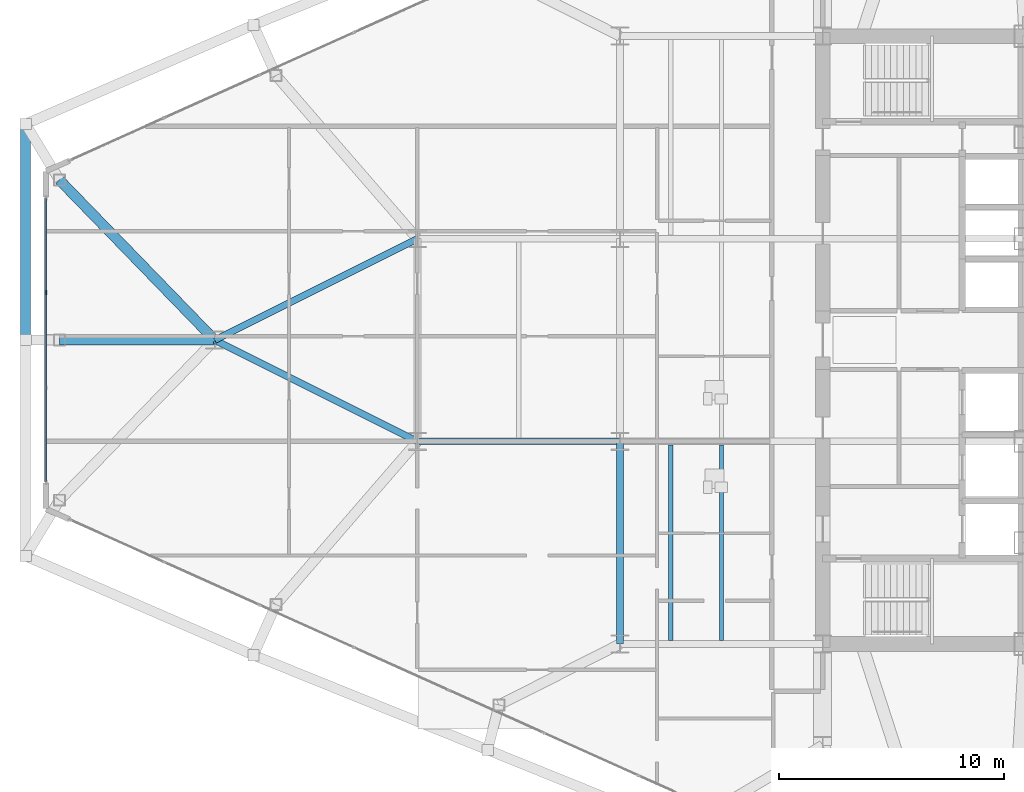
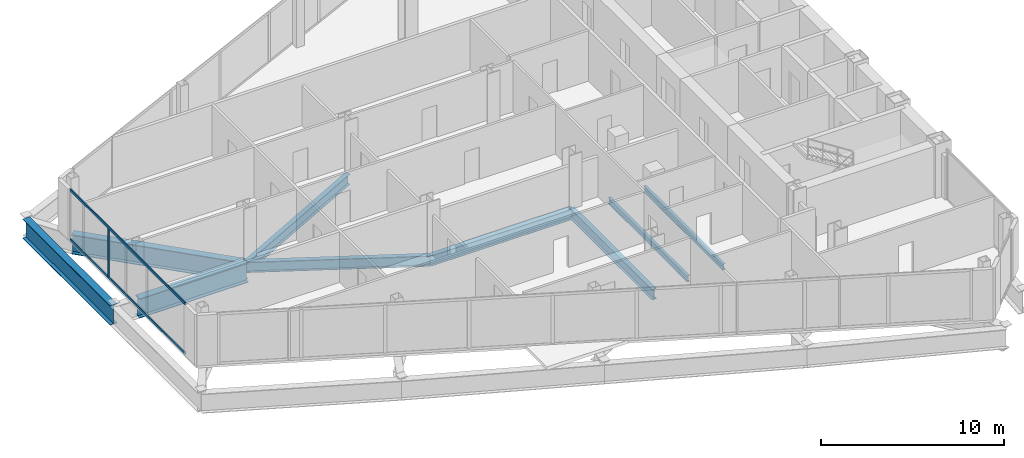
# One storey, part 6 of 29: 9 beams, 3 members, 1 element without a shape of its own.
"""IFC4 building model written with IfcOpenShell, lengths in metres."""

from ifc_helpers import new_model, si_unit, direction, frame, origin, origin_2d, place, context, subcontext, project, spatial, rectangle, i_section, extrude, source, transform, mapped, material, layer, layer_set, material_profile, profile_set, type_object, type_shapes, element, aggregate, save


model = new_model("IFC4")

# Units and contexts
model_context = context("Model", 3, precision=1e-05, world=origin(), true_north=direction((0.0, 1.0)))
body_context = subcontext(model_context, "Body", "Model", "MODEL_VIEW")
ifc_project = project(units=[si_unit("LENGTHUNIT", "METRE"), si_unit("AREAUNIT", "SQUARE_METRE"), si_unit("VOLUMEUNIT", "CUBIC_METRE"), si_unit("PLANEANGLEUNIT", "RADIAN"), si_unit("MASSUNIT", "GRAM", prefix="KILO")], contexts=[model_context])

# Site, building, storey
site_placement = place(None, origin())
site = spatial("IfcSite", under=ifc_project, at=site_placement, CompositionType="ELEMENT")
building_placement = place(site_placement, origin())
building = spatial("IfcBuilding", under=site, at=building_placement, Name="Seokmaru Belvedere", CompositionType="ELEMENT")
storey_placement = place(building_placement, frame((0.0, 0.0, 62.10009765625)))
storey = spatial("IfcBuildingStorey", under=building, at=storey_placement, Name="L16", CompositionType="ELEMENT", Elevation=62.10009765625)

# Beams
ifc_material_1 = material(Name="Steel SM355 (355 MPa)", Category="steel")
ifc_material_profile_1 = material_profile(ifc_material_1, i_section(OverallWidth=0.300048828125, OverallDepth=0.699951171875, WebThickness=0.012939453125, FlangeThickness=0.02392578125, at=origin_2d()), Name="H-700x300x13x24")
ifc_profile_set_1 = profile_set([ifc_material_profile_1], Name="Steel SM355 (355 MPa)")
beam_type_1 = type_object("IfcBeamType", Name="Primary Floor Girder H-700", PredefinedType="BEAM", material=ifc_profile_set_1)
shared_shape_1 = source(origin(), body_context, "Body", "SweptSolid", [
    extrude(i_section(OverallWidth=0.300048828125, OverallDepth=0.699951171875, WebThickness=0.012939453125, FlangeThickness=0.02392578125, at=origin_2d()), origin(), (0.0, 0.0, 1.0), 9.0),
])
for number, where, z_axis, x_axis, name in (
    (1, (-45.5, -13.5, -0.570068359375), (0.0, 1.0, 0.0), (-1.0, 0.0, 0.0), "L16 W Interior Grid Girder 1"),
    (2, (-54.5, -4.5, -0.570068359375), (1.0, 0.0, 0.0), (0.0, 1.0, 0.0), "L16 W Outer Wing Girder 1"),
):
    element("IfcBeam", number, at=place(storey_placement, frame(where, z_axis=z_axis, x_axis=x_axis)), inside=storey, type_object=beam_type_1, Name=name, PredefinedType="BEAM", context=body_context, shape_type="MappedRepresentation", body=[
        mapped(shared_shape_1, transform((0.0, 0.0, 0.0), scale=1.0)),
    ])
shared_shape_2 = source(origin(), body_context, "Body", "SweptSolid", [
    extrude(i_section(OverallWidth=0.300048828125, OverallDepth=0.699951171875, WebThickness=0.012939453125, FlangeThickness=0.02392578125, at=origin_2d()), origin(), (0.0, 0.0, 1.0), 10.062255859375),
])
type_shapes(beam_type_1, [shared_shape_1, shared_shape_2])
for number, where, z_axis, x_axis, name in (
    (3, (-54.5, -4.5, -0.570068359375), (-0.894427191, 0.4472135955, 0.0), (-0.4472135955, -0.894427191, 0.0), "L16 W Apex Converging Girder 1"),
    (4, (-54.5, 4.5, -0.570068359375), (-0.894427191, -0.4472135955, 0.0), (0.4472135955, -0.894427191, 0.0), "L16 W Apex Converging Girder 2"),
):
    element("IfcBeam", number, at=place(storey_placement, frame(where, z_axis=z_axis, x_axis=x_axis)), inside=storey, type_object=beam_type_1, Name=name, PredefinedType="BEAM", context=body_context, shape_type="MappedRepresentation", body=[
        mapped(shared_shape_2, transform((0.0, 0.0, 0.0), scale=1.0)),
    ])
ifc_material_profile_2 = material_profile(ifc_material_1, i_section(OverallWidth=0.18505859375, OverallDepth=0.389892578125, WebThickness=0.008056640625, FlangeThickness=0.011962890625, at=origin_2d()), Name="H-390x185x8x12")
ifc_profile_set_2 = profile_set([ifc_material_profile_2], Name="Steel SM355 (355 MPa)")
beam_type_2 = type_object("IfcBeamType", Name="Secondary Floor Joist H-350", PredefinedType="JOIST", material=ifc_profile_set_2)
shared_shape_3 = source(origin(), body_context, "Body", "SweptSolid", [
    extrude(i_section(OverallWidth=0.18505859375, OverallDepth=0.389892578125, WebThickness=0.008056640625, FlangeThickness=0.011962890625, at=origin_2d()), origin(), (0.0, 0.0, 1.0), 8.68994140625),
])
type_shapes(beam_type_2, [shared_shape_3])
for number, where, z_axis, x_axis, name in (
    (5, (-43.25, -13.344970703125, -0.4150390625), (0.0, 1.0, 0.0), (-1.0, 0.0, 0.0), "L16 W Wing Inner Secondary Joist 1"),
    (6, (-41.0, -13.344970703125, -0.4150390625), (0.0, 1.0, 0.0), (-1.0, 0.0, 0.0), "L16 W Secondary Floor Joist 1"),
):
    element("IfcBeam", number, at=place(storey_placement, frame(where, z_axis=z_axis, x_axis=x_axis)), inside=storey, type_object=beam_type_2, Name=name, PredefinedType="JOIST", context=body_context, shape_type="MappedRepresentation", body=[
        mapped(shared_shape_3, transform((0.0, 0.0, 0.0), scale=1.0)),
    ])
ifc_material_2 = material(Name="Steel HSA650 (650 MPa)", Category="steel")
ifc_material_profile_3 = material_profile(ifc_material_2, i_section(OverallWidth=0.449951171875, OverallDepth=1.300048828125, WebThickness=0.02197265625, FlangeThickness=0.0380859375, at=origin_2d()), Name="BH-1300x450x22x38")
ifc_profile_set_3 = profile_set([ifc_material_profile_3], Name="Steel HSA650 (650 MPa)")
beam_type_3 = type_object("IfcBeamType", Name="Observatory Long-Span Roof Girder BH-1300", PredefinedType="BEAM", material=ifc_profile_set_3)
shared_shape_4 = source(origin(), body_context, "Body", "SweptSolid", [
    extrude(i_section(OverallWidth=0.449951171875, OverallDepth=1.300048828125, WebThickness=0.02197265625, FlangeThickness=0.0380859375, at=origin_2d()), origin(), (0.0, 0.0, 1.0), 9.595703125),
])
beam_1_placement = place(storey_placement, frame((-71.89990234375, 0.0, -0.8701171875), z_axis=(0.0, 1.0, 0.0), x_axis=(-1.0, 0.0, 0.0)))
element("IfcBeam", 7, at=beam_1_placement, inside=storey, type_object=beam_type_3, Name="L16 W Faceted Apex Spandrel N", PredefinedType="BEAM", context=body_context, shape_type="MappedRepresentation", body=[
    mapped(shared_shape_4, transform((0.0, 0.0, 0.0), scale=1.0)),
])
shared_shape_5 = source(origin(), body_context, "Body", "SweptSolid", [
    extrude(i_section(OverallWidth=0.449951171875, OverallDepth=1.300048828125, WebThickness=0.02197265625, FlangeThickness=0.0380859375, at=origin_2d()), origin(), (0.0, 0.0, 1.0), 9.9091796875),
])
beam_2_placement = place(storey_placement, frame((-70.39990234375, 7.112060546875, -0.8701171875), z_axis=(0.6963205089, -0.717730972499, 0.0), x_axis=(0.717730972499, 0.6963205089, 0.0)))
element("IfcBeam", 8, at=beam_2_placement, inside=storey, type_object=beam_type_3, Name="L16 W Apex Sanity Tie Girder 4", PredefinedType="BEAM", context=body_context, shape_type="MappedRepresentation", body=[
    mapped(shared_shape_5, transform((0.0, 0.0, 0.0), scale=1.0)),
])
shared_shape_6 = source(origin(), body_context, "Body", "SweptSolid", [
    extrude(i_section(OverallWidth=0.449951171875, OverallDepth=1.300048828125, WebThickness=0.02197265625, FlangeThickness=0.0380859375, at=origin_2d()), origin(), (0.0, 0.0, 1.0), 6.89990234375),
])
type_shapes(beam_type_3, [shared_shape_4, shared_shape_5, shared_shape_6])
beam_3_placement = place(storey_placement, frame((-70.39990234375, 0.0, -0.8701171875), z_axis=(1.0, 0.0, 0.0), x_axis=(0.0, 1.0, 0.0)))
element("IfcBeam", 9, at=beam_3_placement, inside=storey, type_object=beam_type_3, Name="L16 Apex Mid Setback Back-Span", PredefinedType="BEAM", context=body_context, shape_type="MappedRepresentation", body=[
    mapped(shared_shape_6, transform((0.0, 0.0, 0.0), scale=1.0)),
])

# Curtain wall, members
ifc_material_3 = material(Name="Bronze Triple Insulating Glass", Category="glass")
ifc_layer = layer(ifc_material_3, 0.195068359375)
ifc_layer_set = layer_set([ifc_layer], Name="Bronze Triple Insulating Glass")
curtain_wall_type = type_object("IfcCurtainWallType", Name="Lower-Mid Tapered Curtain Wall System CW-3", PredefinedType="NOTDEFINED", material=ifc_layer_set)
curtain_wall_placement = place(storey_placement, origin())
curtain_wall = element("IfcCurtainWall", 10, at=curtain_wall_placement, inside=storey, type_object=curtain_wall_type, Name="L16 Curtain Wall WF4", PredefinedType="NOTDEFINED")
ifc_material_4 = material(Name="Anodised Bronze Aluminium", Category="aluminium")
ifc_material_profile_4 = material_profile(ifc_material_4, rectangle(XDim=0.070068359375, YDim=0.195068359375, at=origin_2d()), Name="CW-M-70x195")
ifc_profile_set_4 = profile_set([ifc_material_profile_4], Name="Anodised Bronze Aluminium")
member_type_1 = type_object("IfcMemberType", Name="Bronze Unitised Mullion 70x195", PredefinedType="MULLION", material=ifc_profile_set_4)
shared_shape_7 = source(origin(), body_context, "Body", "SweptSolid", [
    extrude(rectangle(XDim=0.070068359375, YDim=0.195068359375, at=origin_2d()), origin(), (0.0, 0.0, 1.0), 3.239990234375),
])
type_shapes(member_type_1, [shared_shape_7])
member_1_placement = place(storey_placement, frame((-71.0, 2.11669921875, 0.06982421875), z_axis=(0.0, 0.0, 1.0), x_axis=(1.0, 0.0, 0.0)))
member_1 = element("IfcMember", 11, at=member_1_placement, type_object=member_type_1, Name="CW:L16:WF4 Mullion 2", PredefinedType="MULLION", context=body_context, shape_type="MappedRepresentation", body=[
    mapped(shared_shape_7, transform((0.0, 0.0, 0.0), scale=1.0)),
])
ifc_material_profile_5 = material_profile(ifc_material_4, rectangle(XDim=0.070068359375, YDim=0.1650390625, at=origin_2d()), Name="CW-T-70x165")
ifc_profile_set_5 = profile_set([ifc_material_profile_5], Name="Anodised Bronze Aluminium")
member_type_2 = type_object("IfcMemberType", Name="Bronze Unitised Transom 70x165", PredefinedType="USERDEFINED", material=ifc_profile_set_5)
shared_shape_8 = source(origin(), body_context, "Body", "SweptSolid", [
    extrude(rectangle(XDim=0.070068359375, YDim=0.1650390625, at=origin_2d()), origin(), (0.0, 0.0, 1.0), 12.56005859375),
])
type_shapes(member_type_2, [shared_shape_8])
member_2_placement = place(storey_placement, frame((-71.0, 6.280029296875, 0.034912109375), z_axis=(0.0, -1.0, 0.0), x_axis=(1.0, 0.0, 0.0)))
member_2 = element("IfcMember", 12, at=member_2_placement, type_object=member_type_2, Name="CW:L16:WF4 Continuous Transom 1", ObjectType="TRANSOM", PredefinedType="USERDEFINED", context=body_context, shape_type="MappedRepresentation", body=[
    mapped(shared_shape_8, transform((0.0, 0.0, 0.0), scale=1.0)),
])
member_3_placement = place(storey_placement, frame((-71.0, 6.280029296875, 3.344970703125), z_axis=(0.0, -1.0, 0.0), x_axis=(1.0, 0.0, 0.0)))
member_3 = element("IfcMember", 13, at=member_3_placement, type_object=member_type_2, Name="CW:L16:WF4 Continuous Transom 2", ObjectType="TRANSOM", PredefinedType="USERDEFINED", context=body_context, shape_type="MappedRepresentation", body=[
    mapped(shared_shape_8, transform((0.0, 0.0, 0.0), scale=1.0)),
])
aggregate(curtain_wall, [member_1, member_2, member_3])

save(model, "model.ifc")
